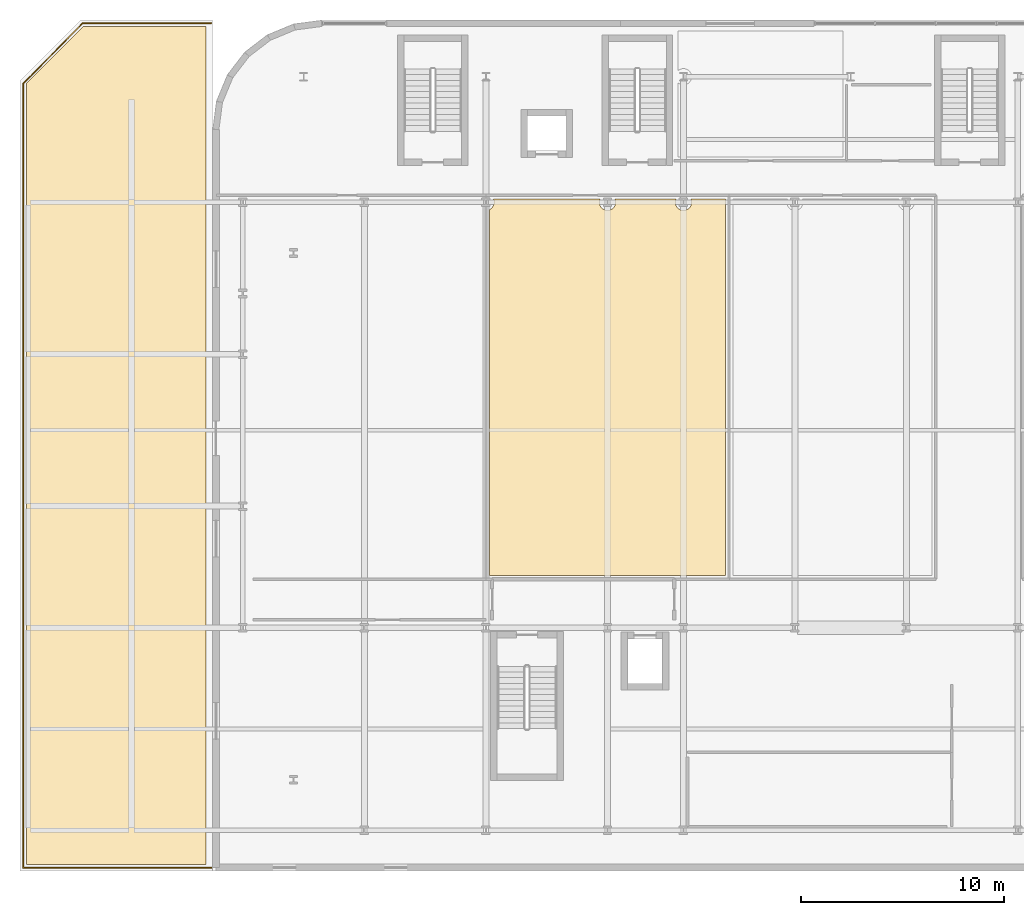
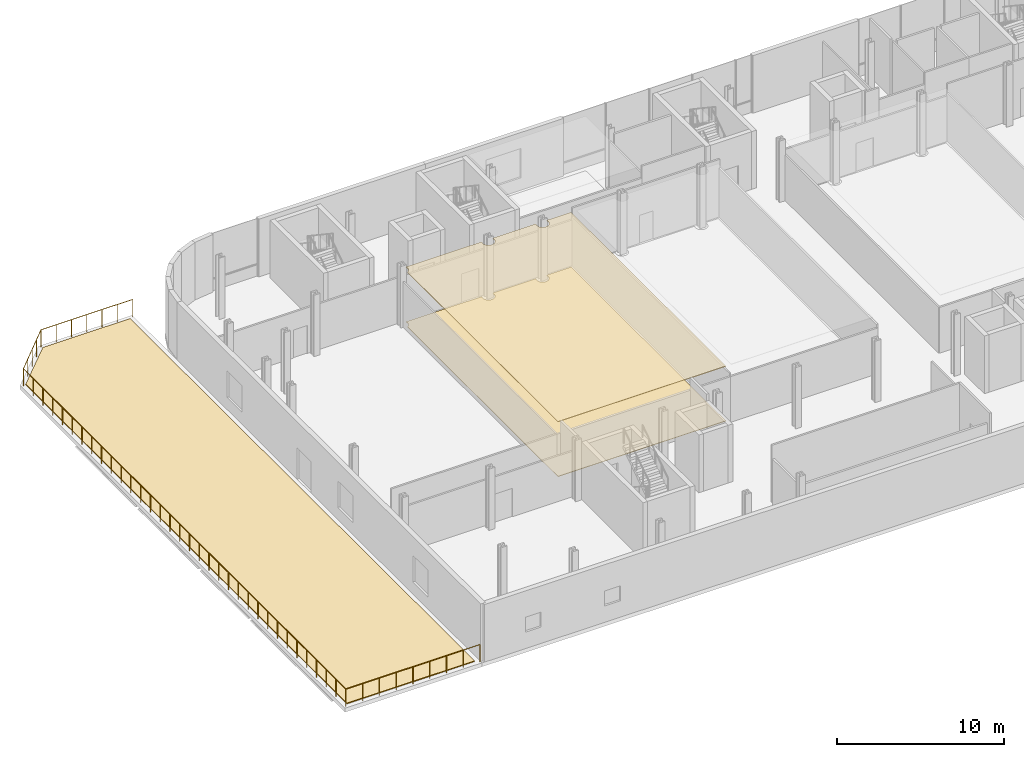
# One storey, part 21 of 26: 3 coverings, 1 railing.
"""IFC4 building model written with IfcOpenShell, lengths in metres."""

from ifc_helpers import new_model, si_unit, direction, frame, origin, origin_2d, place, context, subcontext, project, spatial, polyline, circle, outline, extrude, material, layer, layer_set, type_object, element, save


model = new_model("IFC4")

# Units and contexts
model_context = context("Model", 3, precision=1e-05, world=origin(), true_north=direction((0.0, 1.0)))
body_context = subcontext(model_context, "Body", "Model", "MODEL_VIEW")
ifc_project = project(units=[si_unit("LENGTHUNIT", "METRE"), si_unit("AREAUNIT", "SQUARE_METRE"), si_unit("VOLUMEUNIT", "CUBIC_METRE"), si_unit("PLANEANGLEUNIT", "RADIAN"), si_unit("MASSUNIT", "GRAM", prefix="KILO")], contexts=[model_context])

# Site, building, storey
site_placement = place(None, origin())
site = spatial("IfcSite", under=ifc_project, at=site_placement, CompositionType="ELEMENT")
building_placement = place(site_placement, origin())
building = spatial("IfcBuilding", under=site, at=building_placement, Name="Brevholm Reach", CompositionType="ELEMENT")
storey_placement = place(building_placement, frame((0.0, 0.0, 18.0)))
storey = spatial("IfcBuildingStorey", under=building, at=storey_placement, Name="L04", CompositionType="ELEMENT", Elevation=18.0)

# Coverings
ifc_material_1 = material(Name="Perforated Mineral-Fibre Class-A Acoustic Suspended Ceiling", Category="gypsum")
ifc_layer_1 = layer(ifc_material_1, 0.044921875)
ifc_layer_set_1 = layer_set([ifc_layer_1], Name="Perforated Mineral-Fibre Class-A Acoustic Suspended Ceiling")
covering_type_1 = type_object("IfcCoveringType", Name="COV-CLG-AC", PredefinedType="CEILING", material=ifc_layer_set_1)
covering_1_placement = place(storey_placement, frame((0.0, 0.0, 4.0048828125)))
element("IfcCovering", 1, at=covering_1_placement, inside=storey, type_object=covering_type_1, Name="L04 Suspended Ceiling L04-32", PredefinedType="CEILING", context=body_context, shape_type="SweptSolid", body=[
    extrude(outline(polyline([(23.820068359375, 12.583984375), (12.18408203125, 12.583984375), (12.18408203125, 30.64501953125), (12.188720703125, 30.647216796875), (12.22216796875, 30.66748046875), (12.25390625, 30.69091796875), (12.28271484375, 30.71728515625), (12.30908203125, 30.74609375), (12.33251953125, 30.77783203125), (12.352783203125, 30.811279296875), (12.36962890625, 30.846923828125), (12.3828125, 30.8837890625), (12.392333984375, 30.922119140625), (12.398193359375, 30.960693359375), (12.39990234375, 31.0), (12.398193359375, 31.039306640625), (12.392333984375, 31.077880859375), (12.3828125, 31.1162109375), (12.36962890625, 31.153076171875), (12.36328125, 31.166015625), (17.63671875, 31.166015625), (17.63037109375, 31.153076171875), (17.6171875, 31.1162109375), (17.607666015625, 31.077880859375), (17.601806640625, 31.039306640625), (17.60009765625, 31.0), (17.601806640625, 30.960693359375), (17.607666015625, 30.922119140625), (17.6171875, 30.8837890625), (17.63037109375, 30.846923828125), (17.647216796875, 30.811279296875), (17.66748046875, 30.77783203125), (17.69091796875, 30.74609375), (17.71728515625, 30.71728515625), (17.74609375, 30.69091796875), (17.77783203125, 30.66748046875), (17.811279296875, 30.647216796875), (17.846923828125, 30.63037109375), (17.8837890625, 30.6171875), (17.922119140625, 30.607666015625), (17.960693359375, 30.601806640625), (18.0, 30.60009765625), (18.039306640625, 30.601806640625), (18.077880859375, 30.607666015625), (18.1162109375, 30.6171875), (18.153076171875, 30.63037109375), (18.188720703125, 30.647216796875), (18.22216796875, 30.66748046875), (18.25390625, 30.69091796875), (18.28271484375, 30.71728515625), (18.30908203125, 30.74609375), (18.33251953125, 30.77783203125), (18.352783203125, 30.811279296875), (18.36962890625, 30.846923828125), (18.3828125, 30.8837890625), (18.392333984375, 30.922119140625), (18.398193359375, 30.960693359375), (18.39990234375, 31.0), (18.398193359375, 31.039306640625), (18.392333984375, 31.077880859375), (18.3828125, 31.1162109375), (18.36962890625, 31.153076171875), (18.36328125, 31.166015625), (21.38671875, 31.166015625), (21.38037109375, 31.153076171875), (21.3671875, 31.1162109375), (21.357666015625, 31.077880859375), (21.351806640625, 31.039306640625), (21.35009765625, 31.0), (21.351806640625, 30.960693359375), (21.357666015625, 30.922119140625), (21.3671875, 30.8837890625), (21.38037109375, 30.846923828125), (21.397216796875, 30.811279296875), (21.41748046875, 30.77783203125), (21.44091796875, 30.74609375), (21.46728515625, 30.71728515625), (21.49609375, 30.69091796875), (21.52783203125, 30.66748046875), (21.561279296875, 30.647216796875), (21.596923828125, 30.63037109375), (21.6337890625, 30.6171875), (21.672119140625, 30.607666015625), (21.710693359375, 30.601806640625), (21.75, 30.60009765625), (21.789306640625, 30.601806640625), (21.827880859375, 30.607666015625), (21.8662109375, 30.6171875), (21.903076171875, 30.63037109375), (21.938720703125, 30.647216796875), (21.97216796875, 30.66748046875), (22.00390625, 30.69091796875), (22.03271484375, 30.71728515625), (22.05908203125, 30.74609375), (22.08251953125, 30.77783203125), (22.102783203125, 30.811279296875), (22.11962890625, 30.846923828125), (22.1328125, 30.8837890625), (22.142333984375, 30.922119140625), (22.148193359375, 30.960693359375), (22.14990234375, 31.0), (22.148193359375, 31.039306640625), (22.142333984375, 31.077880859375), (22.1328125, 31.1162109375), (22.11962890625, 31.153076171875), (22.11328125, 31.166015625), (23.820068359375, 31.166015625), (23.820068359375, 12.583984375)])), origin(), (0.0, 0.0, 1.0), 0.045166015625),
])
ifc_material_2 = material(Name="Honed Portland-Aggregate Resin Terrazzo Flooring", Category="concrete")
ifc_layer_2 = layer(ifc_material_2, 0.031982421875)
ifc_layer_set_2 = layer_set([ifc_layer_2], Name="Honed Portland-Aggregate Resin Terrazzo Flooring")
covering_type_2 = type_object("IfcCoveringType", Name="COV-FLR-TRZ", PredefinedType="FLOORING", material=ifc_layer_set_2)
covering_2_placement = place(storey_placement, origin())
element("IfcCovering", 2, at=covering_2_placement, inside=storey, type_object=covering_type_2, Name="L04 Floor Finish L04-32", PredefinedType="FLOORING", context=body_context, shape_type="SweptSolid", body=[
    extrude(outline(polyline([(23.820068359375, 12.583984375), (12.18408203125, 12.583984375), (12.18408203125, 30.64501953125), (12.188720703125, 30.647216796875), (12.22216796875, 30.66748046875), (12.25390625, 30.69091796875), (12.28271484375, 30.71728515625), (12.30908203125, 30.74609375), (12.33251953125, 30.77783203125), (12.352783203125, 30.811279296875), (12.36962890625, 30.846923828125), (12.3828125, 30.8837890625), (12.392333984375, 30.922119140625), (12.398193359375, 30.960693359375), (12.39990234375, 31.0), (12.398193359375, 31.039306640625), (12.392333984375, 31.077880859375), (12.3828125, 31.1162109375), (12.36962890625, 31.153076171875), (12.36328125, 31.166015625), (17.63671875, 31.166015625), (17.63037109375, 31.153076171875), (17.6171875, 31.1162109375), (17.607666015625, 31.077880859375), (17.601806640625, 31.039306640625), (17.60009765625, 31.0), (17.601806640625, 30.960693359375), (17.607666015625, 30.922119140625), (17.6171875, 30.8837890625), (17.63037109375, 30.846923828125), (17.647216796875, 30.811279296875), (17.66748046875, 30.77783203125), (17.69091796875, 30.74609375), (17.71728515625, 30.71728515625), (17.74609375, 30.69091796875), (17.77783203125, 30.66748046875), (17.811279296875, 30.647216796875), (17.846923828125, 30.63037109375), (17.8837890625, 30.6171875), (17.922119140625, 30.607666015625), (17.960693359375, 30.601806640625), (18.0, 30.60009765625), (18.039306640625, 30.601806640625), (18.077880859375, 30.607666015625), (18.1162109375, 30.6171875), (18.153076171875, 30.63037109375), (18.188720703125, 30.647216796875), (18.22216796875, 30.66748046875), (18.25390625, 30.69091796875), (18.28271484375, 30.71728515625), (18.30908203125, 30.74609375), (18.33251953125, 30.77783203125), (18.352783203125, 30.811279296875), (18.36962890625, 30.846923828125), (18.3828125, 30.8837890625), (18.392333984375, 30.922119140625), (18.398193359375, 30.960693359375), (18.39990234375, 31.0), (18.398193359375, 31.039306640625), (18.392333984375, 31.077880859375), (18.3828125, 31.1162109375), (18.36962890625, 31.153076171875), (18.36328125, 31.166015625), (21.38671875, 31.166015625), (21.38037109375, 31.153076171875), (21.3671875, 31.1162109375), (21.357666015625, 31.077880859375), (21.351806640625, 31.039306640625), (21.35009765625, 31.0), (21.351806640625, 30.960693359375), (21.357666015625, 30.922119140625), (21.3671875, 30.8837890625), (21.38037109375, 30.846923828125), (21.397216796875, 30.811279296875), (21.41748046875, 30.77783203125), (21.44091796875, 30.74609375), (21.46728515625, 30.71728515625), (21.49609375, 30.69091796875), (21.52783203125, 30.66748046875), (21.561279296875, 30.647216796875), (21.596923828125, 30.63037109375), (21.6337890625, 30.6171875), (21.672119140625, 30.607666015625), (21.710693359375, 30.601806640625), (21.75, 30.60009765625), (21.789306640625, 30.601806640625), (21.827880859375, 30.607666015625), (21.8662109375, 30.6171875), (21.903076171875, 30.63037109375), (21.938720703125, 30.647216796875), (21.97216796875, 30.66748046875), (22.00390625, 30.69091796875), (22.03271484375, 30.71728515625), (22.05908203125, 30.74609375), (22.08251953125, 30.77783203125), (22.102783203125, 30.811279296875), (22.11962890625, 30.846923828125), (22.1328125, 30.8837890625), (22.142333984375, 30.922119140625), (22.148193359375, 30.960693359375), (22.14990234375, 31.0), (22.148193359375, 31.039306640625), (22.142333984375, 31.077880859375), (22.1328125, 31.1162109375), (22.11962890625, 31.153076171875), (22.11328125, 31.166015625), (23.820068359375, 31.166015625), (23.820068359375, 12.583984375)])), origin(), (0.0, 0.0, 1.0), 0.031982421875),
])
ifc_material_3 = material(Name="SBS Polymer-Modified Bitumen Waterproofing and Paver Membrane", Category="membrane")
ifc_layer_3 = layer(ifc_material_3, 0.06494140625)
ifc_layer_set_3 = layer_set([ifc_layer_3], Name="SBS Polymer-Modified Bitumen Waterproofing and Paver Membrane")
covering_type_3 = type_object("IfcCoveringType", Name="COV-ROF-65", PredefinedType="ROOFING", material=ifc_layer_set_3)
covering_3_placement = place(storey_placement, frame((0.0, 0.0, 0.010009765625)))
element("IfcCovering", 3, at=covering_3_placement, inside=storey, type_object=covering_type_3, Name="L04 Waterproof Terrace Roofing Membrane 1", PredefinedType="ROOFING", context=body_context, shape_type="SweptSolid", body=[
    extrude(outline(polyline([(-10.679931640625, -1.679931640625), (-10.679931640625, 36.867431640625), (-7.867431640625, 39.679931640625), (-1.820068359375, 39.679931640625), (-1.820068359375, -1.679931640625), (-10.679931640625, -1.679931640625)])), origin(), (0.0, 0.0, 1.0), 0.06494140625),
])

# Railing
ifc_material_4 = material(Name="Galvanised Powder-Coated Steel S275JR Anti-Climb Guard", Category="steel")
railing_type = type_object("IfcRailingType", Name="RAL-PLAY-1300", PredefinedType="BALUSTRADE", material=ifc_material_4)
railing_placement = place(storey_placement, frame((-1.550048828125, -1.85009765625, 0.0)))
element("IfcRailing", 4, at=railing_placement, inside=storey, type_object=railing_type, Name="L04 Guard Balustrade RAL-L04-PLAY-W", PredefinedType="BALUSTRADE", context=body_context, shape_type="SweptSolid", body=[
    extrude(circle(Radius=0.02392578125, at=origin_2d()), frame((0.0, 0.0, 1.27587890625), z_axis=(-1.0, 0.0, 0.0), x_axis=(0.0, -1.0, 0.0)), (0.0, 0.0, 1.0), 9.300048828125),
    extrude(circle(Radius=0.02392578125, at=origin_2d()), frame((-9.300048828125, 0.0, 1.27587890625), z_axis=(0.0, 1.0, 0.0), x_axis=(-1.0, 0.0, 0.0)), (0.0, 0.0, 1.0), 38.7001953125),
    extrude(circle(Radius=0.02392578125, at=origin_2d()), frame((-9.300048828125, 38.7001953125, 1.27587890625), z_axis=(0.701163551131, 0.713000473047, 0.0), x_axis=(-0.713000473047, 0.701163551131, 0.0)), (0.0, 0.0, 1.0), 4.20751953125),
    extrude(circle(Radius=0.02392578125, at=origin_2d()), frame((-6.349853515625, 41.7001953125, 1.27587890625), z_axis=(1.0, 0.0, 0.0), x_axis=(0.0, 1.0, 0.0)), (0.0, 0.0, 1.0), 6.349853515625),
    extrude(circle(Radius=0.02099609375, at=origin_2d()), origin(), (0.0, 0.0, 1.0), 1.251953125),
    extrude(circle(Radius=0.02099609375, at=origin_2d()), frame((-1.16259765625, 0.0, 0.0)), (0.0, 0.0, 1.0), 1.251953125),
    extrude(circle(Radius=0.02099609375, at=origin_2d()), frame((-2.324951171875, 0.0, 0.0)), (0.0, 0.0, 1.0), 1.251953125),
    extrude(circle(Radius=0.02099609375, at=origin_2d()), frame((-3.487548828125, 0.0, 0.0)), (0.0, 0.0, 1.0), 1.251953125),
    extrude(circle(Radius=0.02099609375, at=origin_2d()), frame((-4.64990234375, 0.0, 0.0)), (0.0, 0.0, 1.0), 1.251953125),
    extrude(circle(Radius=0.02099609375, at=origin_2d()), frame((-5.8125, 0.0, 0.0)), (0.0, 0.0, 1.0), 1.251953125),
    extrude(circle(Radius=0.02099609375, at=origin_2d()), frame((-6.97509765625, 0.0, 0.0)), (0.0, 0.0, 1.0), 1.251953125),
    extrude(circle(Radius=0.02099609375, at=origin_2d()), frame((-8.137451171875, 0.0, 0.0)), (0.0, 0.0, 1.0), 1.251953125),
    extrude(circle(Radius=0.02099609375, at=origin_2d()), frame((-9.300048828125, 0.0, 0.0)), (0.0, 0.0, 1.0), 1.251953125),
    extrude(circle(Radius=0.02099609375, at=origin_2d()), frame((-9.300048828125, 1.1728515625, 0.0)), (0.0, 0.0, 1.0), 1.251953125),
    extrude(circle(Radius=0.02099609375, at=origin_2d()), frame((-9.300048828125, 2.345458984375, 0.0)), (0.0, 0.0, 1.0), 1.251953125),
    extrude(circle(Radius=0.02099609375, at=origin_2d()), frame((-9.300048828125, 3.518310546875, 0.0)), (0.0, 0.0, 1.0), 1.251953125),
    extrude(circle(Radius=0.02099609375, at=origin_2d()), frame((-9.300048828125, 4.69091796875, 0.0)), (0.0, 0.0, 1.0), 1.251953125),
    extrude(circle(Radius=0.02099609375, at=origin_2d()), frame((-9.300048828125, 5.86376953125, 0.0)), (0.0, 0.0, 1.0), 1.251953125),
    extrude(circle(Radius=0.02099609375, at=origin_2d()), frame((-9.300048828125, 7.036376953125, 0.0)), (0.0, 0.0, 1.0), 1.251953125),
    extrude(circle(Radius=0.02099609375, at=origin_2d()), frame((-9.300048828125, 8.209228515625, 0.0)), (0.0, 0.0, 1.0), 1.251953125),
    extrude(circle(Radius=0.02099609375, at=origin_2d()), frame((-9.300048828125, 9.3818359375, 0.0)), (0.0, 0.0, 1.0), 1.251953125),
    extrude(circle(Radius=0.02099609375, at=origin_2d()), frame((-9.300048828125, 10.5546875, 0.0)), (0.0, 0.0, 1.0), 1.251953125),
    extrude(circle(Radius=0.02099609375, at=origin_2d()), frame((-9.300048828125, 11.727294921875, 0.0)), (0.0, 0.0, 1.0), 1.251953125),
    extrude(circle(Radius=0.02099609375, at=origin_2d()), frame((-9.300048828125, 12.900146484375, 0.0)), (0.0, 0.0, 1.0), 1.251953125),
    extrude(circle(Radius=0.02099609375, at=origin_2d()), frame((-9.300048828125, 14.07275390625, 0.0)), (0.0, 0.0, 1.0), 1.251953125),
    extrude(circle(Radius=0.02099609375, at=origin_2d()), frame((-9.300048828125, 15.24560546875, 0.0)), (0.0, 0.0, 1.0), 1.251953125),
    extrude(circle(Radius=0.02099609375, at=origin_2d()), frame((-9.300048828125, 16.418212890625, 0.0)), (0.0, 0.0, 1.0), 1.251953125),
    extrude(circle(Radius=0.02099609375, at=origin_2d()), frame((-9.300048828125, 17.591064453125, 0.0)), (0.0, 0.0, 1.0), 1.251953125),
    extrude(circle(Radius=0.02099609375, at=origin_2d()), frame((-9.300048828125, 18.763671875, 0.0)), (0.0, 0.0, 1.0), 1.251953125),
    extrude(circle(Radius=0.02099609375, at=origin_2d()), frame((-9.300048828125, 19.9365234375, 0.0)), (0.0, 0.0, 1.0), 1.251953125),
    extrude(circle(Radius=0.02099609375, at=origin_2d()), frame((-9.300048828125, 21.109130859375, 0.0)), (0.0, 0.0, 1.0), 1.251953125),
    extrude(circle(Radius=0.02099609375, at=origin_2d()), frame((-9.300048828125, 22.281982421875, 0.0)), (0.0, 0.0, 1.0), 1.251953125),
    extrude(circle(Radius=0.02099609375, at=origin_2d()), frame((-9.300048828125, 23.45458984375, 0.0)), (0.0, 0.0, 1.0), 1.251953125),
    extrude(circle(Radius=0.02099609375, at=origin_2d()), frame((-9.300048828125, 24.62744140625, 0.0)), (0.0, 0.0, 1.0), 1.251953125),
    extrude(circle(Radius=0.02099609375, at=origin_2d()), frame((-9.300048828125, 25.800048828125, 0.0)), (0.0, 0.0, 1.0), 1.251953125),
    extrude(circle(Radius=0.02099609375, at=origin_2d()), frame((-9.300048828125, 26.972900390625, 0.0)), (0.0, 0.0, 1.0), 1.251953125),
    extrude(circle(Radius=0.02099609375, at=origin_2d()), frame((-9.300048828125, 28.1455078125, 0.0)), (0.0, 0.0, 1.0), 1.251953125),
    extrude(circle(Radius=0.02099609375, at=origin_2d()), frame((-9.300048828125, 29.318359375, 0.0)), (0.0, 0.0, 1.0), 1.251953125),
    extrude(circle(Radius=0.02099609375, at=origin_2d()), frame((-9.300048828125, 30.490966796875, 0.0)), (0.0, 0.0, 1.0), 1.251953125),
    extrude(circle(Radius=0.02099609375, at=origin_2d()), frame((-9.300048828125, 31.663818359375, 0.0)), (0.0, 0.0, 1.0), 1.251953125),
    extrude(circle(Radius=0.02099609375, at=origin_2d()), frame((-9.300048828125, 32.83642578125, 0.0)), (0.0, 0.0, 1.0), 1.251953125),
    extrude(circle(Radius=0.02099609375, at=origin_2d()), frame((-9.300048828125, 34.00927734375, 0.0)), (0.0, 0.0, 1.0), 1.251953125),
    extrude(circle(Radius=0.02099609375, at=origin_2d()), frame((-9.300048828125, 35.181884765625, 0.0)), (0.0, 0.0, 1.0), 1.251953125),
    extrude(circle(Radius=0.02099609375, at=origin_2d()), frame((-9.300048828125, 36.354736328125, 0.0)), (0.0, 0.0, 1.0), 1.251953125),
    extrude(circle(Radius=0.02099609375, at=origin_2d()), frame((-9.300048828125, 37.52734375, 0.0)), (0.0, 0.0, 1.0), 1.251953125),
    extrude(circle(Radius=0.02099609375, at=origin_2d()), frame((-9.300048828125, 38.7001953125, 0.0)), (0.0, 0.0, 1.0), 1.251953125),
    extrude(circle(Radius=0.02099609375, at=origin_2d()), frame((-8.5625, 39.4501953125, 0.0)), (0.0, 0.0, 1.0), 1.251953125),
    extrude(circle(Radius=0.02099609375, at=origin_2d()), frame((-7.824951171875, 40.2001953125, 0.0)), (0.0, 0.0, 1.0), 1.251953125),
    extrude(circle(Radius=0.02099609375, at=origin_2d()), frame((-7.08740234375, 40.9501953125, 0.0)), (0.0, 0.0, 1.0), 1.251953125),
    extrude(circle(Radius=0.02099609375, at=origin_2d()), frame((-6.349853515625, 41.7001953125, 0.0)), (0.0, 0.0, 1.0), 1.251953125),
    extrude(circle(Radius=0.02099609375, at=origin_2d()), frame((-5.29150390625, 41.7001953125, 0.0)), (0.0, 0.0, 1.0), 1.251953125),
    extrude(circle(Radius=0.02099609375, at=origin_2d()), frame((-4.233154296875, 41.7001953125, 0.0)), (0.0, 0.0, 1.0), 1.251953125),
    extrude(circle(Radius=0.02099609375, at=origin_2d()), frame((-3.1748046875, 41.7001953125, 0.0)), (0.0, 0.0, 1.0), 1.251953125),
    extrude(circle(Radius=0.02099609375, at=origin_2d()), frame((-2.11669921875, 41.7001953125, 0.0)), (0.0, 0.0, 1.0), 1.251953125),
    extrude(circle(Radius=0.02099609375, at=origin_2d()), frame((-1.058349609375, 41.7001953125, 0.0)), (0.0, 0.0, 1.0), 1.251953125),
    extrude(circle(Radius=0.02099609375, at=origin_2d()), frame((0.0, 41.7001953125, 0.0)), (0.0, 0.0, 1.0), 1.251953125),
])

save(model, "model.ifc")
